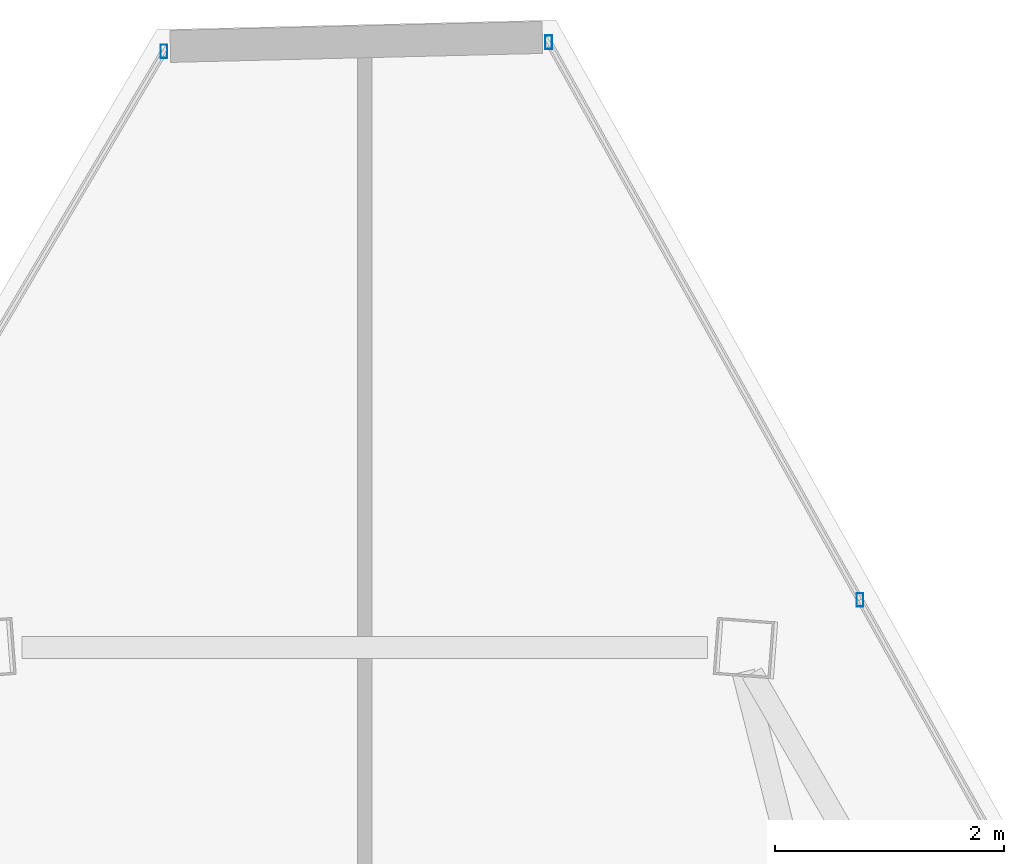
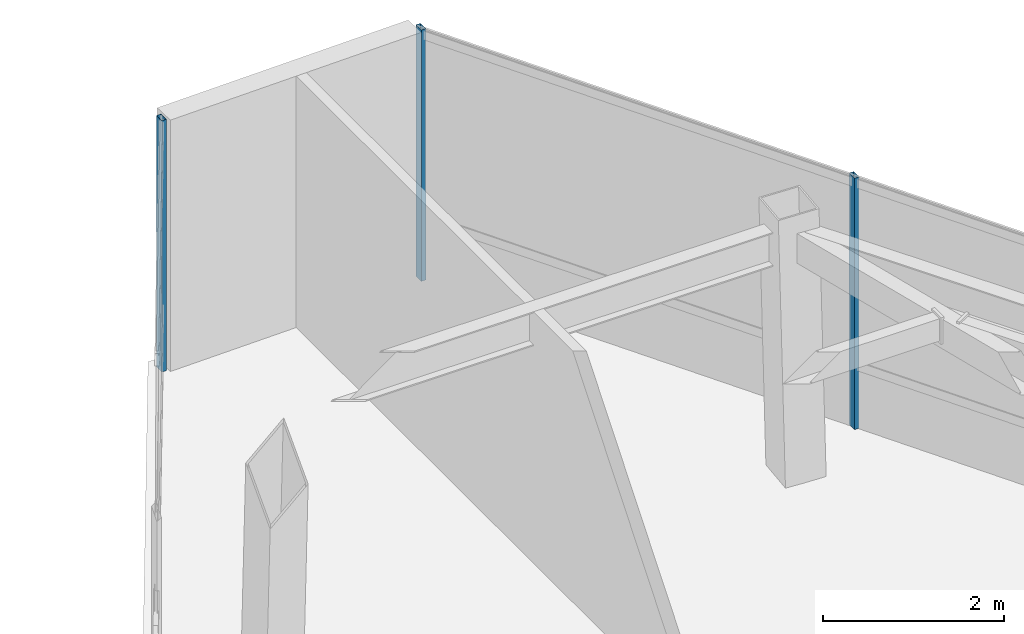
# One storey, part 37 of 48: 3 members, 2 elements without a shape of their own.
"""IFC4 building model written with IfcOpenShell, lengths in metres."""

from ifc_helpers import new_model, si_unit, direction, frame, origin, origin_2d, place, context, subcontext, project, spatial, hollow_rectangle, extrude, source, transform, mapped, material, material_profile, profile_set, type_object, type_shapes, element, aggregate, save


model = new_model("IFC4")

# Units and contexts
model_context = context("Model", 3, precision=1e-05, world=origin(), true_north=direction((0.0, 1.0)))
body_context = subcontext(model_context, "Body", "Model", "MODEL_VIEW")
ifc_project = project(units=[si_unit("LENGTHUNIT", "METRE"), si_unit("AREAUNIT", "SQUARE_METRE"), si_unit("VOLUMEUNIT", "CUBIC_METRE"), si_unit("PLANEANGLEUNIT", "RADIAN"), si_unit("MASSUNIT", "GRAM", prefix="KILO")], contexts=[model_context])

# Site, building, storey
site_placement = place(None, origin())
site = spatial("IfcSite", under=ifc_project, at=site_placement, CompositionType="ELEMENT")
building_placement = place(site_placement, origin())
building = spatial("IfcBuilding", under=site, at=building_placement, Name="Caelisora Broadcast Tower", CompositionType="ELEMENT")
storey_placement = place(building_placement, frame((0.0, 0.0, 277.300048828125)))
storey = spatial("IfcBuildingStorey", under=building, at=storey_placement, Name="L73", CompositionType="ELEMENT", Elevation=277.300048828125)

# Curtain wall, members
ifc_material_1 = material(Name="Unitised Aluminium and Low-E Glass Curtain Wall", Category="glass")
curtain_wall_type = type_object("IfcCurtainWallType", Name="CW-Z5", PredefinedType="NOTDEFINED", material=ifc_material_1)
curtain_wall_1_placement = place(storey_placement, origin())
curtain_wall_1 = element("IfcCurtainWall", 1, at=curtain_wall_1_placement, inside=storey, type_object=curtain_wall_type, Name="L73 curtain wall CW-Z5", PredefinedType="NOTDEFINED")
ifc_material_2 = material(Name="Aluminium 6063-T6 Anodised Terracotta Bronze", Category="aluminium")
ifc_material_profile = material_profile(ifc_material_2, hollow_rectangle(XDim=0.06005859375, YDim=0.1201171875, WallThickness=0.0029296875, at=origin_2d()), Name="Aluminium 6063-T6 Anodised Terracotta Bronze")
ifc_profile_set = profile_set([ifc_material_profile], Name="Aluminium 6063-T6 Anodised Terracotta Bronze")
member_type = type_object("IfcMemberType", Name="CWM-04", PredefinedType="MULLION", material=ifc_profile_set)
shared_shape = source(origin(), body_context, "Body", "SweptSolid", [
    extrude(hollow_rectangle(XDim=0.06005859375, YDim=0.1201171875, WallThickness=0.0029296875, at=origin_2d()), origin(), (0.0, 0.0, 1.0), 3.39990234375),
])
type_shapes(member_type, [shared_shape])
member_1_placement = place(storey_placement, frame((39.609375, 52.014404296875, 0.0), z_axis=(0.0, 0.0, 1.0), x_axis=(1.0, 0.0, 0.0)))
member_1 = element("IfcMember", 2, at=member_1_placement, type_object=member_type, Name="L73-CW-B01 mullion #0", PredefinedType="MULLION", context=body_context, shape_type="MappedRepresentation", body=[
    mapped(shared_shape, transform((0.0, 0.0, 0.0), scale=1.0)),
])
member_2_placement = place(storey_placement, frame((42.3349609375, 47.134765625, 0.0), z_axis=(0.0, 0.0, 1.0), x_axis=(1.0, 0.0, 0.0)))
member_2 = element("IfcMember", 3, at=member_2_placement, type_object=member_type, Name="L73-CW-B01 mullion #1", PredefinedType="MULLION", context=body_context, shape_type="MappedRepresentation", body=[
    mapped(shared_shape, transform((0.0, 0.0, 0.0), scale=1.0)),
])
aggregate(curtain_wall_1, [member_1, member_2])

# Curtain wall, member
curtain_wall_2_placement = place(storey_placement, origin())
curtain_wall_2 = element("IfcCurtainWall", 4, at=curtain_wall_2_placement, inside=storey, type_object=curtain_wall_type, Name="L73 curtain wall CW-Z5", PredefinedType="NOTDEFINED")
member_3_placement = place(storey_placement, frame((36.24365234375, 51.93505859375, 0.0), z_axis=(0.0, 0.0, 1.0), x_axis=(1.0, 0.0, 0.0)))
member_3 = element("IfcMember", 5, at=member_3_placement, type_object=member_type, Name="L73-CW-B11 mullion #3", PredefinedType="MULLION", context=body_context, shape_type="MappedRepresentation", body=[
    mapped(shared_shape, transform((0.0, 0.0, 0.0), scale=1.0)),
])
aggregate(curtain_wall_2, [member_3])

save(model, "model.ifc")
